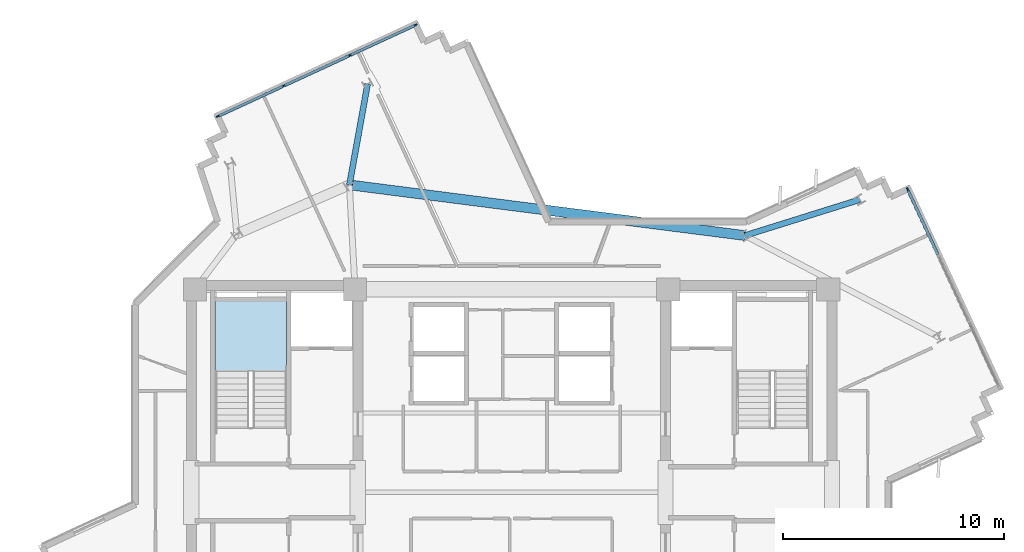
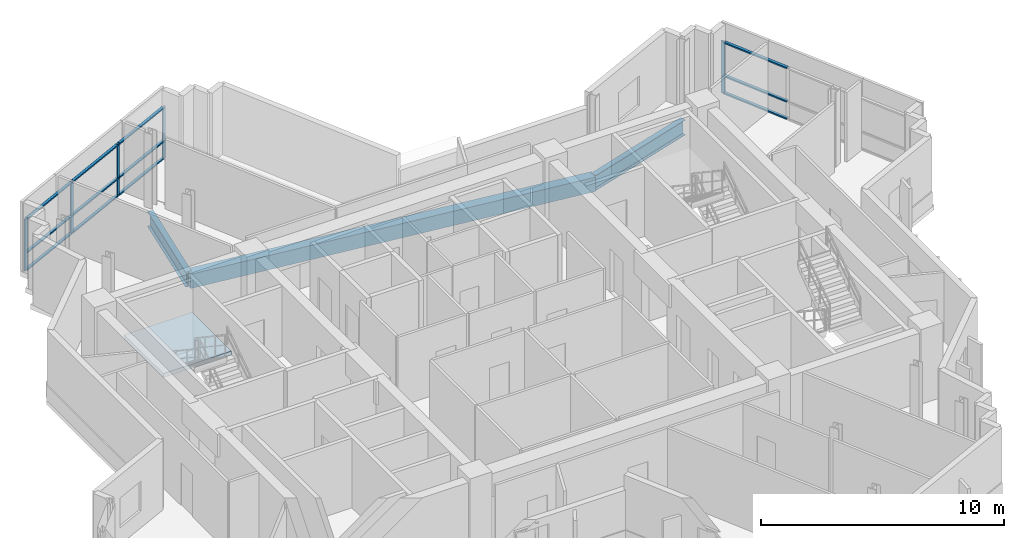
# One storey, part 3 of 12: 17 members, 3 beams, 1 slab, 3 elements without a shape of their own.
"""IFC4 building model written with IfcOpenShell, lengths in metres."""

from ifc_helpers import new_model, si_unit, direction, frame, origin, origin_2d, place, context, subcontext, project, spatial, polyline, rectangle, i_section, outline, extrude, source, transform, mapped, material, layer, layer_set, material_profile, profile_set, type_object, element, aggregate, save


model = new_model("IFC4")

# Units and contexts
model_context = context("Model", 3, precision=1e-05, world=origin(), true_north=direction((0.0, 1.0)))
body_context = subcontext(model_context, "Body", "Model", "MODEL_VIEW")
ifc_project = project(units=[si_unit("LENGTHUNIT", "METRE"), si_unit("AREAUNIT", "SQUARE_METRE"), si_unit("VOLUMEUNIT", "CUBIC_METRE"), si_unit("PLANEANGLEUNIT", "RADIAN"), si_unit("MASSUNIT", "GRAM", prefix="KILO")], contexts=[model_context])

# Site, building, storey
site_placement = place(None, origin())
site = spatial("IfcSite", under=ifc_project, at=site_placement, CompositionType="ELEMENT")
building_placement = place(site_placement, origin())
building = spatial("IfcBuilding", under=site, at=building_placement, Name="Zahravan Cultural Tower", CompositionType="ELEMENT")
storey_placement = place(building_placement, frame((0.0, 0.0, 246.60009765625)))
storey = spatial("IfcBuildingStorey", under=building, at=storey_placement, Name="L58", CompositionType="ELEMENT", Elevation=246.60009765625)

# Beams
ifc_material_1 = material(Name="Steel ASTM A992 Grade 50", Category="steel")
ifc_material_profile_1 = material_profile(ifc_material_1, i_section(OverallWidth=0.26708984375, OverallDepth=0.761962890625, WebThickness=0.014404296875, FlangeThickness=0.021484375, FilletRadius=0.01904296875, at=origin_2d()), Name="W30X116")
ifc_profile_set_1 = profile_set([ifc_material_profile_1], Name="Steel ASTM A992 Grade 50")
beam_type_1 = type_object("IfcBeamType", Name="BM-G-W30X116", PredefinedType="BEAM", material=ifc_profile_set_1)
shared_shape_1 = source(origin(), body_context, "Body", "SweptSolid", [
    extrude(i_section(OverallWidth=0.26708984375, OverallDepth=0.761962890625, WebThickness=0.014404296875, FlangeThickness=0.021484375, FilletRadius=0.01904296875, at=origin_2d()), origin(), (0.0, 0.0, 1.0), 5.450927734375),
])
beam_1_placement = place(storey_placement, frame((46.577880859375, 38.640625, -0.631103515625), z_axis=(0.954416996605, 0.298476459025, 0.0), x_axis=(-0.298476459025, 0.954416996605, 0.0)))
element("IfcBeam", 1, at=beam_1_placement, inside=storey, type_object=beam_type_1, Name="L58 Beam BG-L58-13", PredefinedType="BEAM", context=body_context, shape_type="MappedRepresentation", body=[
    mapped(shared_shape_1, transform((0.0, 0.0, 0.0), x_axis=(1.0, 0.0, 0.0), y_axis=(0.0, 1.0, 0.0), z_axis=(0.0, 0.0, 1.0), scale=1.0)),
])
shared_shape_2 = source(origin(), body_context, "Body", "SweptSolid", [
    extrude(i_section(OverallWidth=0.26708984375, OverallDepth=0.761962890625, WebThickness=0.014404296875, FlangeThickness=0.021484375, FilletRadius=0.01904296875, at=origin_2d()), origin(), (0.0, 0.0, 1.0), 4.65087890625),
])
beam_2_placement = place(storey_placement, frame((28.642578125, 40.937255859375, -0.631103515625), z_axis=(0.177425522697, 0.984134230629, 0.0), x_axis=(-0.984134230629, 0.177425522697, 0.0)))
element("IfcBeam", 2, at=beam_2_placement, inside=storey, type_object=beam_type_1, Name="L58 Beam BG-L58-14", PredefinedType="BEAM", context=body_context, shape_type="MappedRepresentation", body=[
    mapped(shared_shape_2, transform((0.0, 0.0, 0.0), x_axis=(1.0, 0.0, 0.0), y_axis=(0.0, 1.0, 0.0), z_axis=(0.0, 0.0, 1.0), scale=1.0)),
])
ifc_material_2 = material(Name="Concrete C45/55", Category="concrete")
ifc_material_profile_2 = material_profile(ifc_material_2, rectangle(XDim=0.449951171875, YDim=0.719970703125, at=origin_2d()), Name="RC450X720")
ifc_profile_set_2 = profile_set([ifc_material_profile_2], Name="Concrete C45/55")
beam_type_2 = type_object("IfcBeamType", Name="BM-SP-RC450X720", PredefinedType="SPANDREL", material=ifc_profile_set_2)
shared_shape_3 = source(origin(), body_context, "Body", "SweptSolid", [
    extrude(rectangle(XDim=0.449951171875, YDim=0.719970703125, at=origin_2d()), origin(), (0.0, 0.0, 1.0), 18.081787109375),
])
beam_3_placement = place(storey_placement, frame((46.577880859375, 38.640625, -0.610107421875), z_axis=(-0.991900954377, 0.127013765812, 0.0), x_axis=(-0.127013765812, -0.991900954377, 0.0)))
element("IfcBeam", 3, at=beam_3_placement, inside=storey, type_object=beam_type_2, Name="L58 Beam SP-L58-22", PredefinedType="SPANDREL", context=body_context, shape_type="MappedRepresentation", body=[
    mapped(shared_shape_3, transform((0.0, 0.0, 0.0), x_axis=(1.0, 0.0, 0.0), y_axis=(0.0, 1.0, 0.0), z_axis=(0.0, 0.0, 1.0), scale=1.0)),
])

# Curtain wall, members
ifc_material_3 = material(Name="Anodised bronze-aluminium mullion", Category="aluminium")
ifc_layer_1 = layer(ifc_material_3, 0.179931640625)
ifc_layer_set_1 = layer_set([ifc_layer_1], Name="Anodised bronze-aluminium mullion")
curtain_wall_type_1 = type_object("IfcCurtainWallType", Name="CW-SYS-3", PredefinedType="USERDEFINED", material=ifc_layer_set_1)
curtain_wall_1_placement = place(storey_placement, origin())
curtain_wall_1 = element("IfcCurtainWall", 4, at=curtain_wall_1_placement, inside=storey, type_object=curtain_wall_type_1, Name="L58 Recessed Curtain Wall CW-3.1", ObjectType="RECESSED GLAZING", PredefinedType="USERDEFINED")
ifc_material_profile_3 = material_profile(ifc_material_3, rectangle(XDim=0.139892578125, YDim=0.070068359375, at=origin_2d()), Name="AL-T70X140")
ifc_profile_set_3 = profile_set([ifc_material_profile_3], Name="Anodised bronze-aluminium mullion")
member_type_1 = type_object("IfcMemberType", Name="CWT-CW-3", PredefinedType="USERDEFINED", material=ifc_profile_set_3)
shared_shape_4 = source(origin(), body_context, "Body", "SweptSolid", [
    extrude(rectangle(XDim=0.139892578125, YDim=0.070068359375, at=origin_2d()), origin(), (0.0, 0.0, 1.0), 3.20166015625),
])
member_1_placement = place(storey_placement, frame((53.974365234375, 40.692138671875, 0.034912109375), z_axis=(0.419488516178, -0.907760642898, 0.0), x_axis=(0.907760642898, 0.419488516178, 0.0)))
member_1 = element("IfcMember", 5, at=member_1_placement, type_object=member_type_1, Name="CW-3 transom 1.1", ObjectType="TRANSOM", PredefinedType="USERDEFINED", context=body_context, shape_type="MappedRepresentation", body=[
    mapped(shared_shape_4, transform((0.0, 0.0, 0.0), x_axis=(1.0, 0.0, 0.0), y_axis=(0.0, 1.0, 0.0), z_axis=(0.0, 0.0, 1.0), scale=1.0)),
])
member_2_placement = place(storey_placement, frame((53.974365234375, 40.692138671875, 0.89990234375), z_axis=(0.419488516178, -0.907760642898, 0.0), x_axis=(0.907760642898, 0.419488516178, 0.0)))
member_2 = element("IfcMember", 6, at=member_2_placement, type_object=member_type_1, Name="CW-3 transom 1.2", ObjectType="TRANSOM", PredefinedType="USERDEFINED", context=body_context, shape_type="MappedRepresentation", body=[
    mapped(shared_shape_4, transform((0.0, 0.0, 0.0), x_axis=(1.0, 0.0, 0.0), y_axis=(0.0, 1.0, 0.0), z_axis=(0.0, 0.0, 1.0), scale=1.0)),
])
member_3_placement = place(storey_placement, frame((53.974365234375, 40.692138671875, 2.5849609375), z_axis=(0.419488516178, -0.907760642898, 0.0), x_axis=(0.907760642898, 0.419488516178, 0.0)))
member_3 = element("IfcMember", 7, at=member_3_placement, type_object=member_type_1, Name="CW-3 transom 1.3", ObjectType="TRANSOM", PredefinedType="USERDEFINED", context=body_context, shape_type="MappedRepresentation", body=[
    mapped(shared_shape_4, transform((0.0, 0.0, 0.0), x_axis=(1.0, 0.0, 0.0), y_axis=(0.0, 1.0, 0.0), z_axis=(0.0, 0.0, 1.0), scale=1.0)),
])

ifc_layer_2 = layer(ifc_material_3, 0.1650390625)
ifc_layer_set_2 = layer_set([ifc_layer_2], Name="Anodised bronze-aluminium mullion")
curtain_wall_type_2 = type_object("IfcCurtainWallType", Name="CW-SYS-4", PredefinedType="USERDEFINED", material=ifc_layer_set_2)
curtain_wall_2_placement = place(storey_placement, origin())
curtain_wall_2 = element("IfcCurtainWall", 8, at=curtain_wall_2_placement, inside=storey, type_object=curtain_wall_type_2, Name="L58 Recessed Curtain Wall CW-4.2", ObjectType="RECESSED GLAZING", PredefinedType="USERDEFINED")
ifc_material_profile_4 = material_profile(ifc_material_3, rectangle(XDim=0.1298828125, YDim=0.06494140625, at=origin_2d()), Name="AL-T65X130")
ifc_profile_set_4 = profile_set([ifc_material_profile_4], Name="Anodised bronze-aluminium mullion")
member_type_2 = type_object("IfcMemberType", Name="CWT-CW-4", PredefinedType="USERDEFINED", material=ifc_profile_set_4)
shared_shape_5 = source(origin(), body_context, "Body", "SweptSolid", [
    extrude(rectangle(XDim=0.1298828125, YDim=0.06494140625, at=origin_2d()), origin(), (0.0, 0.0, 1.0), 3.241455078125),
])
member_4_placement = place(storey_placement, frame((25.695068359375, 45.43798828125, 0.032470703125), z_axis=(0.907785160542, 0.419435456655, 0.0), x_axis=(-0.419435456655, 0.907785160542, 0.0)))
member_4 = element("IfcMember", 9, at=member_4_placement, type_object=member_type_2, Name="CW-4 transom 2.1", ObjectType="TRANSOM", PredefinedType="USERDEFINED", context=body_context, shape_type="MappedRepresentation", body=[
    mapped(shared_shape_5, transform((0.0, 0.0, 0.0), x_axis=(1.0, 0.0, 0.0), y_axis=(0.0, 1.0, 0.0), z_axis=(0.0, 0.0, 1.0), scale=1.0)),
])
member_5_placement = place(storey_placement, frame((25.695068359375, 45.43798828125, 0.89990234375), z_axis=(0.907785160542, 0.419435456655, 0.0), x_axis=(-0.419435456655, 0.907785160542, 0.0)))
member_5 = element("IfcMember", 10, at=member_5_placement, type_object=member_type_2, Name="CW-4 transom 2.2", ObjectType="TRANSOM", PredefinedType="USERDEFINED", context=body_context, shape_type="MappedRepresentation", body=[
    mapped(shared_shape_5, transform((0.0, 0.0, 0.0), x_axis=(1.0, 0.0, 0.0), y_axis=(0.0, 1.0, 0.0), z_axis=(0.0, 0.0, 1.0), scale=1.0)),
])
member_6_placement = place(storey_placement, frame((25.695068359375, 45.43798828125, 2.58740234375), z_axis=(0.907785160542, 0.419435456655, 0.0), x_axis=(-0.419435456655, 0.907785160542, 0.0)))
member_6 = element("IfcMember", 11, at=member_6_placement, type_object=member_type_2, Name="CW-4 transom 2.3", ObjectType="TRANSOM", PredefinedType="USERDEFINED", context=body_context, shape_type="MappedRepresentation", body=[
    mapped(shared_shape_5, transform((0.0, 0.0, 0.0), x_axis=(1.0, 0.0, 0.0), y_axis=(0.0, 1.0, 0.0), z_axis=(0.0, 0.0, 1.0), scale=1.0)),
])
shared_shape_6 = source(origin(), body_context, "Body", "SweptSolid", [
    extrude(rectangle(XDim=0.1298828125, YDim=0.06494140625, at=origin_2d()), origin(), (0.0, 0.0, 1.0), 3.208984375),
])
member_7_placement = place(storey_placement, frame((22.722900390625, 44.064453125, 0.032470703125), z_axis=(0.907758880937, 0.419492328988, 0.0), x_axis=(-0.419492328988, 0.907758880937, 0.0)))
member_7 = element("IfcMember", 12, at=member_7_placement, type_object=member_type_2, Name="CW-4 transom 1.1", ObjectType="TRANSOM", PredefinedType="USERDEFINED", context=body_context, shape_type="MappedRepresentation", body=[
    mapped(shared_shape_6, transform((0.0, 0.0, 0.0), x_axis=(1.0, 0.0, 0.0), y_axis=(0.0, 1.0, 0.0), z_axis=(0.0, 0.0, 1.0), scale=1.0)),
])
member_8_placement = place(storey_placement, frame((22.722900390625, 44.064453125, 0.89990234375), z_axis=(0.907758880937, 0.419492328988, 0.0), x_axis=(-0.419492328988, 0.907758880937, 0.0)))
member_8 = element("IfcMember", 13, at=member_8_placement, type_object=member_type_2, Name="CW-4 transom 1.2", ObjectType="TRANSOM", PredefinedType="USERDEFINED", context=body_context, shape_type="MappedRepresentation", body=[
    mapped(shared_shape_6, transform((0.0, 0.0, 0.0), x_axis=(1.0, 0.0, 0.0), y_axis=(0.0, 1.0, 0.0), z_axis=(0.0, 0.0, 1.0), scale=1.0)),
])
member_9_placement = place(storey_placement, frame((22.722900390625, 44.064453125, 2.58740234375), z_axis=(0.907758880937, 0.419492328988, 0.0), x_axis=(-0.419492328988, 0.907758880937, 0.0)))
member_9 = element("IfcMember", 14, at=member_9_placement, type_object=member_type_2, Name="CW-4 transom 1.3", ObjectType="TRANSOM", PredefinedType="USERDEFINED", context=body_context, shape_type="MappedRepresentation", body=[
    mapped(shared_shape_6, transform((0.0, 0.0, 0.0), x_axis=(1.0, 0.0, 0.0), y_axis=(0.0, 1.0, 0.0), z_axis=(0.0, 0.0, 1.0), scale=1.0)),
])
member_10_placement = place(storey_placement, frame((28.69677734375, 46.824951171875, 0.032470703125), z_axis=(0.907758880937, 0.419492328988, 0.0), x_axis=(-0.419492328988, 0.907758880937, 0.0)))
member_10 = element("IfcMember", 15, at=member_10_placement, type_object=member_type_2, Name="CW-4 transom 3.1", ObjectType="TRANSOM", PredefinedType="USERDEFINED", context=body_context, shape_type="MappedRepresentation", body=[
    mapped(shared_shape_6, transform((0.0, 0.0, 0.0), x_axis=(1.0, 0.0, 0.0), y_axis=(0.0, 1.0, 0.0), z_axis=(0.0, 0.0, 1.0), scale=1.0)),
])
member_11_placement = place(storey_placement, frame((28.69677734375, 46.824951171875, 0.89990234375), z_axis=(0.907758880937, 0.419492328988, 0.0), x_axis=(-0.419492328988, 0.907758880937, 0.0)))
member_11 = element("IfcMember", 16, at=member_11_placement, type_object=member_type_2, Name="CW-4 transom 3.2", ObjectType="TRANSOM", PredefinedType="USERDEFINED", context=body_context, shape_type="MappedRepresentation", body=[
    mapped(shared_shape_6, transform((0.0, 0.0, 0.0), x_axis=(1.0, 0.0, 0.0), y_axis=(0.0, 1.0, 0.0), z_axis=(0.0, 0.0, 1.0), scale=1.0)),
])
member_12_placement = place(storey_placement, frame((28.69677734375, 46.824951171875, 2.58740234375), z_axis=(0.907758880937, 0.419492328988, 0.0), x_axis=(-0.419492328988, 0.907758880937, 0.0)))
member_12 = element("IfcMember", 17, at=member_12_placement, type_object=member_type_2, Name="CW-4 transom 3.3", ObjectType="TRANSOM", PredefinedType="USERDEFINED", context=body_context, shape_type="MappedRepresentation", body=[
    mapped(shared_shape_6, transform((0.0, 0.0, 0.0), x_axis=(1.0, 0.0, 0.0), y_axis=(0.0, 1.0, 0.0), z_axis=(0.0, 0.0, 1.0), scale=1.0)),
])

# Member
ifc_material_profile_5 = material_profile(ifc_material_3, rectangle(XDim=0.070068359375, YDim=0.179931640625, at=origin_2d()), Name="AL-M70X180")
ifc_profile_set_5 = profile_set([ifc_material_profile_5], Name="Anodised bronze-aluminium mullion")
member_type_3 = type_object("IfcMemberType", Name="CWM-CW-3", PredefinedType="MULLION", material=ifc_profile_set_5)
shared_shape_7 = source(origin(), body_context, "Body", "SweptSolid", [
    extrude(rectangle(XDim=0.070068359375, YDim=0.179931640625, at=origin_2d()), origin(), (0.0, 0.0, 1.0), 2.619873046875),
])
member_13_placement = place(storey_placement, frame((53.959716796875, 40.723876953125, 0.0), z_axis=(0.0, 0.0, 1.0), x_axis=(0.907775189262, 0.419457036846, 0.0)))
member_13 = element("IfcMember", 18, at=member_13_placement, type_object=member_type_3, Name="CW-3 mullion 1", PredefinedType="MULLION", context=body_context, shape_type="MappedRepresentation", body=[
    mapped(shared_shape_7, transform((0.0, 0.0, 0.0), x_axis=(1.0, 0.0, 0.0), y_axis=(0.0, 1.0, 0.0), z_axis=(0.0, 0.0, 1.0), scale=1.0)),
])

aggregate(curtain_wall_1, [member_13, member_1, member_2, member_3])

ifc_material_profile_6 = material_profile(ifc_material_3, rectangle(XDim=0.06494140625, YDim=0.1650390625, at=origin_2d()), Name="AL-M65X165")
ifc_profile_set_6 = profile_set([ifc_material_profile_6], Name="Anodised bronze-aluminium mullion")
member_type_4 = type_object("IfcMemberType", Name="CWM-CW-4", PredefinedType="MULLION", material=ifc_profile_set_6)
shared_shape_8 = source(origin(), body_context, "Body", "SweptSolid", [
    extrude(rectangle(XDim=0.06494140625, YDim=0.1650390625, at=origin_2d()), origin(), (0.0, 0.0, 1.0), 2.619873046875),
])
member_14_placement = place(storey_placement, frame((22.693359375, 44.051025390625, 0.0), z_axis=(0.0, 0.0, 1.0), x_axis=(-0.419457036846, 0.907775189262, 0.0)))
member_14 = element("IfcMember", 19, at=member_14_placement, type_object=member_type_4, Name="CW-4 mullion 1", PredefinedType="MULLION", context=body_context, shape_type="MappedRepresentation", body=[
    mapped(shared_shape_8, transform((0.0, 0.0, 0.0), x_axis=(1.0, 0.0, 0.0), y_axis=(0.0, 1.0, 0.0), z_axis=(0.0, 0.0, 1.0), scale=1.0)),
])

member_15_placement = place(storey_placement, frame((25.66552734375, 45.42431640625, 0.0), z_axis=(0.0, 0.0, 1.0), x_axis=(-0.419457036846, 0.907775189262, 0.0)))
member_15 = element("IfcMember", 20, at=member_15_placement, type_object=member_type_4, Name="CW-4 mullion 2", PredefinedType="MULLION", context=body_context, shape_type="MappedRepresentation", body=[
    mapped(shared_shape_8, transform((0.0, 0.0, 0.0), x_axis=(1.0, 0.0, 0.0), y_axis=(0.0, 1.0, 0.0), z_axis=(0.0, 0.0, 1.0), scale=1.0)),
])

member_16_placement = place(storey_placement, frame((28.667236328125, 46.811279296875, 0.0), z_axis=(0.0, 0.0, 1.0), x_axis=(-0.419457036846, 0.907775189262, 0.0)))
member_16 = element("IfcMember", 21, at=member_16_placement, type_object=member_type_4, Name="CW-4 mullion 3", PredefinedType="MULLION", context=body_context, shape_type="MappedRepresentation", body=[
    mapped(shared_shape_8, transform((0.0, 0.0, 0.0), x_axis=(1.0, 0.0, 0.0), y_axis=(0.0, 1.0, 0.0), z_axis=(0.0, 0.0, 1.0), scale=1.0)),
])

member_17_placement = place(storey_placement, frame((31.639404296875, 48.1845703125, 0.0), z_axis=(0.0, 0.0, 1.0), x_axis=(-0.419457036846, 0.907775189262, 0.0)))
member_17 = element("IfcMember", 22, at=member_17_placement, type_object=member_type_4, Name="CW-4 mullion 4", PredefinedType="MULLION", context=body_context, shape_type="MappedRepresentation", body=[
    mapped(shared_shape_8, transform((0.0, 0.0, 0.0), x_axis=(1.0, 0.0, 0.0), y_axis=(0.0, 1.0, 0.0), z_axis=(0.0, 0.0, 1.0), scale=1.0)),
])

aggregate(curtain_wall_2, [member_14, member_15, member_16, member_17, member_7, member_8, member_9, member_4, member_5, member_6, member_10, member_11, member_12])

# Stair, slab
stair_type = type_object("IfcStairType", Name="STR-DL-1550-375", PredefinedType="HALF_TURN_STAIR", material=ifc_material_2)
stair_placement = place(storey_placement, origin())
stair = element("IfcStair", 23, at=stair_placement, inside=storey, type_object=stair_type, Name="L58 West Core North Exit Stair ST-W1", PredefinedType="HALF_TURN_STAIR")
ifc_layer_3 = layer(ifc_material_2, 0.199951171875)
ifc_layer_set_3 = layer_set([ifc_layer_3], Name="Concrete C45/55")
slab_type = type_object("IfcSlabType", Name="SL-STAIR-LND200", PredefinedType="LANDING", material=ifc_layer_set_3)
slab_placement = place(storey_placement, frame((0.0, 0.0, 1.6748046875)))
slab = element("IfcSlab", 24, at=slab_placement, type_object=slab_type, Name="ST-W1 landing 1", PredefinedType="LANDING", context=body_context, shape_type="SweptSolid", body=[
    extrude(outline(polyline([(25.800048828125, 32.469970703125), (25.800048828125, 35.699951171875), (22.550048828125, 35.699951171875), (22.550048828125, 32.469970703125), (25.800048828125, 32.469970703125)])), origin(), (0.0, 0.0, 1.0), 0.2001953125),
])
aggregate(stair, [slab])

save(model, "model.ifc")
